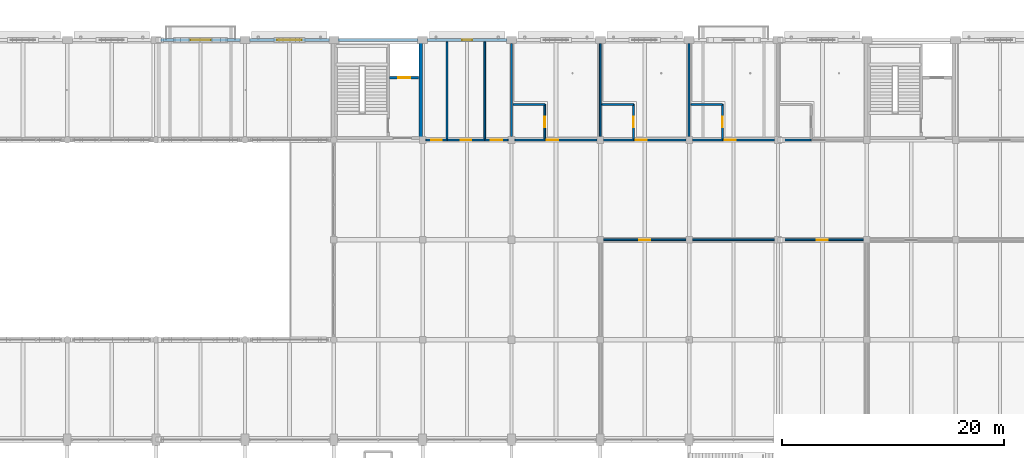
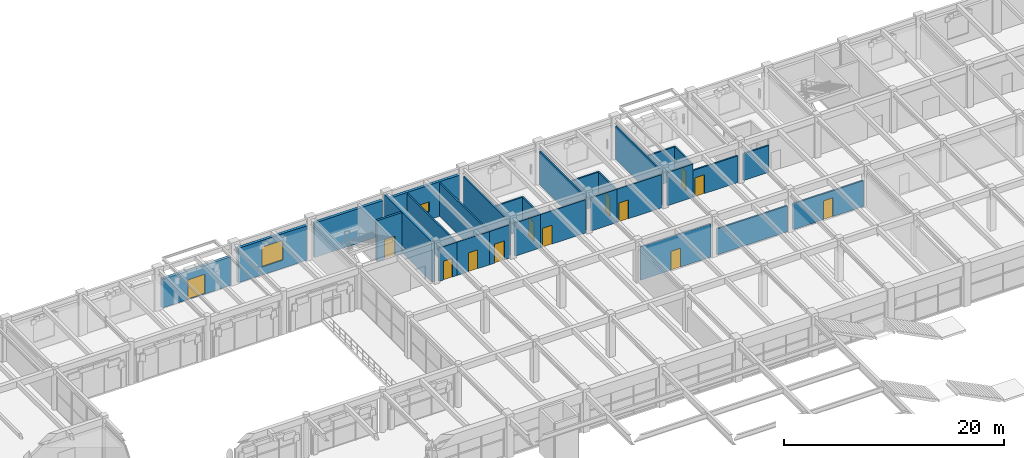
# One storey, part 110 of 144: 30 walls, 13 doors, 2 windows, 15 openings.
"""IFC4 building model written with IfcOpenShell, lengths in metres."""

from ifc_helpers import new_model, si_unit, direction, frame, frame_2d, origin, place, context, subcontext, project, spatial, rectangle, extrude, material, layer, layer_set, type_object, element, fill, save


model = new_model("IFC4")

# Units and contexts
model_context = context("Model", 3, precision=1e-05, world=origin(), true_north=direction((0.0, 1.0)))
body_context = subcontext(model_context, "Body", "Model", "MODEL_VIEW")
ifc_project = project(units=[si_unit("LENGTHUNIT", "METRE"), si_unit("AREAUNIT", "SQUARE_METRE"), si_unit("VOLUMEUNIT", "CUBIC_METRE"), si_unit("PLANEANGLEUNIT", "RADIAN"), si_unit("MASSUNIT", "GRAM", prefix="KILO")], contexts=[model_context])

# Site, building, storey
site_placement = place(None, origin())
site = spatial("IfcSite", under=ifc_project, at=site_placement, CompositionType="ELEMENT")
building_placement = place(site_placement, origin())
building = spatial("IfcBuilding", under=site, at=building_placement, Name="Varnabhumi Central Station", CompositionType="ELEMENT")
storey_placement = place(building_placement, frame((0.0, 0.0, 4.800048828125)))
storey = spatial("IfcBuildingStorey", under=building, at=storey_placement, Name="L01", CompositionType="ELEMENT", Elevation=4.800048828125)

# Wall
ifc_material_1 = material(Name="Concrete M40", Category="concrete")
ifc_layer_1 = layer(ifc_material_1, 0.300048828125, Name="Concrete M40", Category="concrete")
ifc_layer_set_1 = layer_set([ifc_layer_1], Name="Concrete M40")
wall_type_1 = type_object("IfcWallType", Name="WAL-CORE-RC-300", PredefinedType="SHEAR", material=ifc_layer_set_1)
wall_1_placement = place(storey_placement, frame((87.820068359375, 107.179931640625, 0.0), z_axis=(0.0, 0.0, 1.0), x_axis=(0.0, 1.0, 0.0)))
element("IfcWall", 1, at=wall_1_placement, inside=storey, type_object=wall_type_1, Name="NC2 L01 East Shear Wall", PredefinedType="SHEAR", context=body_context, shape_type="SweptSolid", body=[
    extrude(rectangle(XDim=8.64013671875, YDim=0.300048828125, at=frame_2d((4.320068359375, 0.0))), origin(), (0.0, 0.0, 1.0), 4.52001953125),
])

# Wall, opening, door
ifc_material_2 = material(Name="Autoclaved aerated blockwork masonry", Category="masonry")
ifc_layer_2 = layer(ifc_material_2, 0.300048828125, Name="Autoclaved aerated blockwork masonry", Category="masonry")
ifc_layer_set_2 = layer_set([ifc_layer_2], Name="Autoclaved aerated blockwork masonry")
wall_type_2 = type_object("IfcWallType", Name="WAL-EXT-STUCCO-300", PredefinedType="SOLIDWALL", material=ifc_layer_set_2)
wall_2_placement = place(storey_placement, frame((64.39990234375, 116.0, 0.0), z_axis=(0.0, 0.0, 1.0), x_axis=(1.0, 0.0, 0.0)))
wall_2 = element("IfcWall", 2, at=wall_2_placement, inside=storey, type_object=wall_type_2, Name="North Boulevard Wall L01-9", PredefinedType="SOLIDWALL", context=body_context, shape_type="SweptSolid", body=[
    extrude(rectangle(XDim=7.2001953125, YDim=0.300048828125, at=frame_2d((3.60009765625, 0.0))), origin(), (0.0, 0.0, 1.0), 3.179931640625),
])
opening_1_placement = place(wall_2_placement, frame((2.699951171875, 0.0, 0.0)))
opening_1 = element("IfcOpeningElement", 3, at=opening_1_placement, cuts=wall_2, Name="Opening ED-4", PredefinedType="OPENING", context=body_context, shape_type="SweptSolid", body=[
    extrude(rectangle(XDim=1.800048828125, YDim=2.199951171875, at=frame_2d((0.89990234375, 1.10009765625))), frame((0.0, 0.159912109375, 0.0), z_axis=(0.0, -1.0, 0.0), x_axis=(1.0, 0.0, 0.0)), (0.0, 0.0, 1.0), 0.320068359375),
])
ifc_material_3 = material(Name="Anodised aluminium 6063-T6", Category="aluminium")
door_type_1 = type_object("IfcDoorType", Name="DR-EXT-AZOTEA-1800", OperationType="NOTDEFINED", PredefinedType="DOOR", material=ifc_material_3)
door_1_placement = place(opening_1_placement, origin())
door_1 = element("IfcDoor", 4, at=door_1_placement, inside=storey, type_object=door_type_1, Name="North Boulevard Balcony French Door L01-9", OperationType="DOUBLE_DOOR_SINGLE_SWING", OverallHeight=2.199951171875, OverallWidth=1.800048828125, PredefinedType="DOOR", context=body_context, shape_type="SweptSolid", body=[
    extrude(rectangle(XDim=1.800048828125, YDim=2.199951171875, at=frame_2d((0.89990234375, 1.10009765625))), frame((0.0, 0.02490234375, 0.0), z_axis=(0.0, -1.0, 0.0), x_axis=(1.0, 0.0, 0.0)), (0.0, 0.0, 1.0), 0.050048828125),
])
fill(opening_1, door_1)

# Wall, opening, window
wall_3_placement = place(storey_placement, frame((72.39990234375, 116.0, 0.0), z_axis=(0.0, 0.0, 1.0), x_axis=(1.0, 0.0, 0.0)))
wall_3 = element("IfcWall", 5, at=wall_3_placement, inside=storey, type_object=wall_type_2, Name="North Boulevard Wall L01-10", PredefinedType="SOLIDWALL", context=body_context, shape_type="SweptSolid", body=[
    extrude(rectangle(XDim=7.2001953125, YDim=0.300048828125, at=frame_2d((3.60009765625, 0.0))), origin(), (0.0, 0.0, 1.0), 3.83984375),
])
opening_2_placement = place(wall_3_placement, frame((2.5, 0.0, 0.89990234375)))
opening_2 = element("IfcOpeningElement", 6, at=opening_2_placement, cuts=wall_3, Name="Opening W-03", PredefinedType="OPENING", context=body_context, shape_type="SweptSolid", body=[
    extrude(rectangle(XDim=2.199951171875, YDim=2.199951171875, at=frame_2d((1.10009765625, 1.10009765625))), frame((0.0, 0.159912109375, 0.0), z_axis=(0.0, -1.0, 0.0), x_axis=(1.0, 0.0, 0.0)), (0.0, 0.0, 1.0), 0.320068359375),
])
ifc_material_4 = material(Name="Laminated low-E double glazing", Category="glass")
window_type_1 = type_object("IfcWindowType", Name="WIN-PIER-2200x2200", PartitioningType="DOUBLE_PANEL_VERTICAL", PredefinedType="WINDOW", material=ifc_material_4)
window_1_placement = place(opening_2_placement, origin())
window_1 = element("IfcWindow", 7, at=window_1_placement, inside=storey, type_object=window_type_1, Name="North Facade Window L01-10", OverallHeight=2.199951171875, OverallWidth=2.199951171875, PartitioningType="SINGLE_PANEL", PredefinedType="WINDOW", context=body_context, shape_type="SweptSolid", body=[
    extrude(rectangle(XDim=2.199951171875, YDim=2.199951171875, at=frame_2d((1.10009765625, 1.10009765625))), frame((0.0, 0.030029296875, 0.0), z_axis=(0.0, -1.0, 0.0), x_axis=(1.0, 0.0, 0.0)), (0.0, 0.0, 1.0), 0.06005859375),
])
fill(opening_2, window_1)

# Wall
wall_4_placement = place(storey_placement, frame((80.39990234375, 116.0, 0.0), z_axis=(0.0, 0.0, 1.0), x_axis=(1.0, 0.0, 0.0)))
element("IfcWall", 8, at=wall_4_placement, inside=storey, type_object=wall_type_2, Name="North Boulevard Wall L01-11", PredefinedType="SOLIDWALL", context=body_context, shape_type="SweptSolid", body=[
    extrude(rectangle(XDim=7.2001953125, YDim=0.300048828125, at=frame_2d((3.60009765625, 0.0))), origin(), (0.0, 0.0, 1.0), 3.83984375),
])

# Wall, opening, window
wall_5_placement = place(storey_placement, frame((88.39990234375, 116.0, 0.0), z_axis=(0.0, 0.0, 1.0), x_axis=(1.0, 0.0, 0.0)))
wall_5 = element("IfcWall", 9, at=wall_5_placement, inside=storey, type_object=wall_type_2, Name="North Boulevard Wall L01-12", PredefinedType="SOLIDWALL", context=body_context, shape_type="SweptSolid", body=[
    extrude(rectangle(XDim=7.2001953125, YDim=0.300048828125, at=frame_2d((3.60009765625, 0.0))), origin(), (0.0, 0.0, 1.0), 3.83984375),
])
opening_3_placement = place(wall_5_placement, frame((3.14990234375, 0.0, 0.89990234375)))
opening_3 = element("IfcOpeningElement", 10, at=opening_3_placement, cuts=wall_5, Name="Opening W-09", PredefinedType="OPENING", context=body_context, shape_type="SweptSolid", body=[
    extrude(rectangle(XDim=0.89990234375, YDim=1.10009765625, at=frame_2d((0.449951171875, 0.550048828125))), frame((0.0, 0.159912109375, 0.0), z_axis=(0.0, -1.0, 0.0), x_axis=(1.0, 0.0, 0.0)), (0.0, 0.0, 1.0), 0.320068359375),
])
window_type_2 = type_object("IfcWindowType", Name="WIN-WC-900x1100", PartitioningType="SINGLE_PANEL", PredefinedType="WINDOW", material=ifc_material_4)
window_2_placement = place(opening_3_placement, origin())
window_2 = element("IfcWindow", 11, at=window_2_placement, inside=storey, type_object=window_type_2, Name="North Facade Window L01-12", OverallHeight=1.10009765625, OverallWidth=0.89990234375, PartitioningType="SINGLE_PANEL", PredefinedType="WINDOW", context=body_context, shape_type="SweptSolid", body=[
    extrude(rectangle(XDim=0.89990234375, YDim=1.10009765625, at=frame_2d((0.449951171875, 0.550048828125))), frame((0.0, 0.030029296875, 0.0), z_axis=(0.0, -1.0, 0.0), x_axis=(1.0, 0.0, 0.0)), (0.0, 0.0, 1.0), 0.06005859375),
])
fill(opening_3, window_2)

# Wall, opening, door
ifc_layer_3 = layer(ifc_material_2, 0.159912109375, Name="Autoclaved aerated blockwork masonry", Category="masonry")
ifc_layer_set_3 = layer_set([ifc_layer_3], Name="Autoclaved aerated blockwork masonry")
wall_type_3 = type_object("IfcWallType", Name="WAL-PART-AAC-160", PredefinedType="PARTITIONING", material=ifc_layer_set_3)
wall_6_placement = place(storey_placement, frame((88.300048828125, 107.0, 0.0), z_axis=(0.0, 0.0, 1.0), x_axis=(1.0, 0.0, 0.0)))
wall_6 = element("IfcWall", 12, at=wall_6_placement, inside=storey, type_object=wall_type_3, Name="Public Male WC L01 North Corridor Partition 1", PredefinedType="PARTITIONING", context=body_context, shape_type="SweptSolid", body=[
    extrude(rectangle(XDim=1.89990234375, YDim=0.159912109375, at=frame_2d((0.949951171875, 0.0))), origin(), (0.0, 0.0, 1.0), 3.699951171875),
])
opening_4_placement = place(wall_6_placement, frame((0.47509765625, 0.0, 0.0)))
opening_4 = element("IfcOpeningElement", 13, at=opening_4_placement, cuts=wall_6, Name="Opening D-04", PredefinedType="OPENING", context=body_context, shape_type="SweptSolid", body=[
    extrude(rectangle(XDim=0.949951171875, YDim=2.10009765625, at=frame_2d((0.47509765625, 1.050048828125))), frame((0.0, 0.08984375, 0.0), z_axis=(0.0, -1.0, 0.0), x_axis=(1.0, 0.0, 0.0)), (0.0, 0.0, 1.0), 0.179931640625),
])
ifc_material_5 = material(Name="Intumescent-treated hardwood timber", Category="wood")
door_type_2 = type_object("IfcDoorType", Name="DR-WC-950", OperationType="NOTDEFINED", PredefinedType="DOOR", material=ifc_material_5)
door_2_placement = place(opening_4_placement, frame((0.949951171875, 0.0, 0.0), z_axis=(0.0, 0.0, 1.0), x_axis=(-1.0, 0.0, 0.0)))
door_2 = element("IfcDoor", 14, at=door_2_placement, inside=storey, type_object=door_type_2, Name="Public Male WC L01 North Door 1", OperationType="SINGLE_SWING_LEFT", OverallHeight=2.10009765625, OverallWidth=0.949951171875, PredefinedType="DOOR", context=body_context, shape_type="SweptSolid", body=[
    extrude(rectangle(XDim=0.949951171875, YDim=2.10009765625, at=frame_2d((0.47509765625, 1.050048828125))), frame((0.0, 0.02490234375, 0.0), z_axis=(0.0, -1.0, 0.0), x_axis=(1.0, 0.0, 0.0)), (0.0, 0.0, 1.0), 0.050048828125),
])
fill(opening_4, door_2)

# Wall
wall_7_placement = place(storey_placement, frame((90.199951171875, 107.080078125, 0.0), z_axis=(0.0, 0.0, 1.0), x_axis=(0.0, 1.0, 0.0)))
element("IfcWall", 15, at=wall_7_placement, inside=storey, type_object=wall_type_3, Name="Public Male WC L01 North W Partition 1", PredefinedType="PARTITIONING", context=body_context, shape_type="SweptSolid", body=[
    extrude(rectangle(XDim=8.760009765625, YDim=0.159912109375, at=frame_2d((4.3798828125, 0.0))), origin(), (0.0, 0.0, 1.0), 3.699951171875),
])

# Wall, opening, door
wall_8_placement = place(storey_placement, frame((90.199951171875, 107.0, 0.0), z_axis=(0.0, 0.0, 1.0), x_axis=(1.0, 0.0, 0.0)))
wall_8 = element("IfcWall", 16, at=wall_8_placement, inside=storey, type_object=wall_type_3, Name="Public Female WC L01 North Corridor Partition 1", PredefinedType="PARTITIONING", context=body_context, shape_type="SweptSolid", body=[
    extrude(rectangle(XDim=3.400146484375, YDim=0.159912109375, at=frame_2d((1.7001953125, 0.0))), origin(), (0.0, 0.0, 1.0), 3.699951171875),
])
opening_5_placement = place(wall_8_placement, frame((1.22509765625, 0.0, 0.0)))
opening_5 = element("IfcOpeningElement", 17, at=opening_5_placement, cuts=wall_8, Name="Opening D-04", PredefinedType="OPENING", context=body_context, shape_type="SweptSolid", body=[
    extrude(rectangle(XDim=0.949951171875, YDim=2.10009765625, at=frame_2d((0.47509765625, 1.050048828125))), frame((0.0, 0.08984375, 0.0), z_axis=(0.0, -1.0, 0.0), x_axis=(1.0, 0.0, 0.0)), (0.0, 0.0, 1.0), 0.179931640625),
])
door_3_placement = place(opening_5_placement, frame((0.949951171875, 0.0, 0.0), z_axis=(0.0, 0.0, 1.0), x_axis=(-1.0, 0.0, 0.0)))
door_3 = element("IfcDoor", 18, at=door_3_placement, inside=storey, type_object=door_type_2, Name="Public Female WC L01 North Door 1", OperationType="SINGLE_SWING_RIGHT", OverallHeight=2.10009765625, OverallWidth=0.949951171875, PredefinedType="DOOR", context=body_context, shape_type="SweptSolid", body=[
    extrude(rectangle(XDim=0.949951171875, YDim=2.10009765625, at=frame_2d((0.47509765625, 1.050048828125))), frame((0.0, 0.02490234375, 0.0), z_axis=(0.0, -1.0, 0.0), x_axis=(1.0, 0.0, 0.0)), (0.0, 0.0, 1.0), 0.050048828125),
])
fill(opening_5, door_3)

# Wall
wall_9_placement = place(storey_placement, frame((93.60009765625, 107.080078125, 0.0), z_axis=(0.0, 0.0, 1.0), x_axis=(0.0, 1.0, 0.0)))
element("IfcWall", 19, at=wall_9_placement, inside=storey, type_object=wall_type_3, Name="Public Female WC L01 North W Partition 1", PredefinedType="PARTITIONING", context=body_context, shape_type="SweptSolid", body=[
    extrude(rectangle(XDim=8.760009765625, YDim=0.159912109375, at=frame_2d((4.3798828125, 0.0))), origin(), (0.0, 0.0, 1.0), 3.699951171875),
])

# Wall, opening, door
wall_10_placement = place(storey_placement, frame((93.60009765625, 107.0, 0.0), z_axis=(0.0, 0.0, 1.0), x_axis=(1.0, 0.0, 0.0)))
wall_10 = element("IfcWall", 20, at=wall_10_placement, inside=storey, type_object=wall_type_3, Name="Accessible WC L01 North Corridor Partition 1", PredefinedType="PARTITIONING", context=body_context, shape_type="SweptSolid", body=[
    extrude(rectangle(XDim=2.099853515625, YDim=0.159912109375, at=frame_2d((1.0498046875, 0.0))), origin(), (0.0, 0.0, 1.0), 3.699951171875),
])
opening_6_placement = place(wall_10_placement, frame((0.52490234375, 0.0, 0.0)))
opening_6 = element("IfcOpeningElement", 21, at=opening_6_placement, cuts=wall_10, Name="Opening D-05", PredefinedType="OPENING", context=body_context, shape_type="SweptSolid", body=[
    extrude(rectangle(XDim=1.050048828125, YDim=2.10009765625, at=frame_2d((0.52490234375, 1.050048828125))), frame((0.0, 0.08984375, 0.0), z_axis=(0.0, -1.0, 0.0), x_axis=(1.0, 0.0, 0.0)), (0.0, 0.0, 1.0), 0.179931640625),
])
door_type_3 = type_object("IfcDoorType", Name="DR-ACC-WC-1050", OperationType="NOTDEFINED", PredefinedType="DOOR", material=ifc_material_5)
door_4_placement = place(opening_6_placement, frame((1.050048828125, 0.0, 0.0), z_axis=(0.0, 0.0, 1.0), x_axis=(-1.0, 0.0, 0.0)))
door_4 = element("IfcDoor", 22, at=door_4_placement, inside=storey, type_object=door_type_3, Name="Accessible WC L01 North Door 1", OperationType="SINGLE_SWING_LEFT", OverallHeight=2.10009765625, OverallWidth=1.050048828125, PredefinedType="DOOR", context=body_context, shape_type="SweptSolid", body=[
    extrude(rectangle(XDim=1.050048828125, YDim=2.10009765625, at=frame_2d((0.52490234375, 1.050048828125))), frame((0.0, 0.02490234375, 0.0), z_axis=(0.0, -1.0, 0.0), x_axis=(1.0, 0.0, 0.0)), (0.0, 0.0, 1.0), 0.050048828125),
])
fill(opening_6, door_4)

# Wall
wall_11_placement = place(storey_placement, frame((96.0, 107.300048828125, 0.0), z_axis=(0.0, 0.0, 1.0), x_axis=(0.0, 1.0, 0.0)))
element("IfcWall", 23, at=wall_11_placement, inside=storey, type_object=wall_type_3, Name="Accessible WC L01 North W Partition 1", PredefinedType="PARTITIONING", context=body_context, shape_type="SweptSolid", body=[
    extrude(rectangle(XDim=8.39990234375, YDim=0.159912109375, at=frame_2d((4.199951171875, 0.0))), origin(), (0.0, 0.0, 1.0), 3.699951171875),
])

# Wall, opening, door
wall_12_placement = place(storey_placement, frame((99.0, 107.0, 0.0), z_axis=(0.0, 0.0, 1.0), x_axis=(1.0, 0.0, 0.0)))
wall_12 = element("IfcWall", 24, at=wall_12_placement, inside=storey, type_object=wall_type_3, Name="Passenger Retiring Room 101 Corridor Partition 1", PredefinedType="PARTITIONING", context=body_context, shape_type="SweptSolid", body=[
    extrude(rectangle(XDim=4.699951171875, YDim=0.159912109375, at=frame_2d((2.35009765625, 0.0))), origin(), (0.0, 0.0, 1.0), 3.699951171875),
])
opening_7_placement = place(wall_12_placement, frame((0.199951171875, 0.0, 0.0)))
opening_7 = element("IfcOpeningElement", 25, at=opening_7_placement, cuts=wall_12, Name="Opening D-01", PredefinedType="OPENING", context=body_context, shape_type="SweptSolid", body=[
    extrude(rectangle(XDim=1.0, YDim=2.10009765625, at=frame_2d((0.5, 1.050048828125))), frame((0.0, 0.08984375, 0.0), z_axis=(0.0, -1.0, 0.0), x_axis=(1.0, 0.0, 0.0)), (0.0, 0.0, 1.0), 0.179931640625),
])
door_type_4 = type_object("IfcDoorType", Name="DR-ROOM-1000", OperationType="NOTDEFINED", PredefinedType="DOOR", material=ifc_material_5)
door_5_placement = place(opening_7_placement, frame((1.0, 0.0, 0.0), z_axis=(0.0, 0.0, 1.0), x_axis=(-1.0, 0.0, 0.0)))
door_5 = element("IfcDoor", 26, at=door_5_placement, inside=storey, type_object=door_type_4, Name="Passenger Retiring Room 101 Door 1", OperationType="SINGLE_SWING_RIGHT", OverallHeight=2.10009765625, OverallWidth=1.0, PredefinedType="DOOR", context=body_context, shape_type="SweptSolid", body=[
    extrude(rectangle(XDim=1.0, YDim=2.10009765625, at=frame_2d((0.5, 1.050048828125))), frame((0.0, 0.02490234375, 0.0), z_axis=(0.0, -1.0, 0.0), x_axis=(1.0, 0.0, 0.0)), (0.0, 0.0, 1.0), 0.050048828125),
])
fill(opening_7, door_5)

# Walls
wall_13_placement = place(storey_placement, frame((104.0, 107.300048828125, 0.0), z_axis=(0.0, 0.0, 1.0), x_axis=(0.0, 1.0, 0.0)))
element("IfcWall", 27, at=wall_13_placement, inside=storey, type_object=wall_type_3, Name="Passenger Retiring Room 101 W Partition 1", PredefinedType="PARTITIONING", context=body_context, shape_type="SweptSolid", body=[
    extrude(rectangle(XDim=8.39990234375, YDim=0.159912109375, at=frame_2d((4.199951171875, 0.0))), origin(), (0.0, 0.0, 1.0), 3.699951171875),
])
wall_14_placement = place(storey_placement, frame((96.300048828125, 107.0, 0.0), z_axis=(0.0, 0.0, 1.0), x_axis=(1.0, 0.0, 0.0)))
element("IfcWall", 28, at=wall_14_placement, inside=storey, type_object=wall_type_3, Name="En-suite Bathroom 101 South Wall", PredefinedType="PARTITIONING", context=body_context, shape_type="SweptSolid", body=[
    extrude(rectangle(XDim=2.699951171875, YDim=0.159912109375, at=frame_2d((1.35009765625, 0.0))), origin(), (0.0, 0.0, 1.0), 3.699951171875),
])
wall_15_placement = place(storey_placement, frame((96.14990234375, 110.199951171875, 0.0), z_axis=(0.0, 0.0, 1.0), x_axis=(1.0, 0.0, 0.0)))
element("IfcWall", 29, at=wall_15_placement, inside=storey, type_object=wall_type_3, Name="En-suite Bathroom 101 North Wall", PredefinedType="PARTITIONING", context=body_context, shape_type="SweptSolid", body=[
    extrude(rectangle(XDim=2.85009765625, YDim=0.159912109375, at=frame_2d((1.425048828125, 0.0))), origin(), (0.0, 0.0, 1.0), 3.699951171875),
])

# Wall, opening, door
wall_16_placement = place(storey_placement, frame((99.0, 107.080078125, 0.0), z_axis=(0.0, 0.0, 1.0), x_axis=(0.0, 1.0, 0.0)))
wall_16 = element("IfcWall", 30, at=wall_16_placement, inside=storey, type_object=wall_type_3, Name="En-suite Bathroom 101 East Door Wall", PredefinedType="PARTITIONING", context=body_context, shape_type="SweptSolid", body=[
    extrude(rectangle(XDim=3.119873046875, YDim=0.159912109375, at=frame_2d((1.56005859375, 0.0))), origin(), (0.0, 0.0, 1.0), 3.699951171875),
])
opening_8_placement = place(wall_16_placement, frame((1.050048828125, 0.0, 0.0)))
opening_8 = element("IfcOpeningElement", 31, at=opening_8_placement, cuts=wall_16, Name="Opening D-04", PredefinedType="OPENING", context=body_context, shape_type="SweptSolid", body=[
    extrude(rectangle(XDim=0.949951171875, YDim=2.10009765625, at=frame_2d((0.47509765625, 1.050048828125))), frame((0.0, 0.08984375, 0.0), z_axis=(0.0, -1.0, 0.0), x_axis=(1.0, 0.0, 0.0)), (0.0, 0.0, 1.0), 0.179931640625),
])
door_6_placement = place(opening_8_placement, origin())
door_6 = element("IfcDoor", 32, at=door_6_placement, inside=storey, type_object=door_type_2, Name="En-suite Bathroom 101 En-suite Door", OperationType="SINGLE_SWING_RIGHT", OverallHeight=2.10009765625, OverallWidth=0.949951171875, PredefinedType="DOOR", context=body_context, shape_type="SweptSolid", body=[
    extrude(rectangle(XDim=0.949951171875, YDim=2.10009765625, at=frame_2d((0.47509765625, 1.050048828125))), frame((0.0, 0.02490234375, 0.0), z_axis=(0.0, -1.0, 0.0), x_axis=(1.0, 0.0, 0.0)), (0.0, 0.0, 1.0), 0.050048828125),
])
fill(opening_8, door_6)

wall_17_placement = place(storey_placement, frame((107.0, 107.0, 0.0), z_axis=(0.0, 0.0, 1.0), x_axis=(1.0, 0.0, 0.0)))
wall_17 = element("IfcWall", 33, at=wall_17_placement, inside=storey, type_object=wall_type_3, Name="Passenger Retiring Room 102 Corridor Partition 1", PredefinedType="PARTITIONING", context=body_context, shape_type="SweptSolid", body=[
    extrude(rectangle(XDim=4.699951171875, YDim=0.159912109375, at=frame_2d((2.35009765625, 0.0))), origin(), (0.0, 0.0, 1.0), 3.699951171875),
])
opening_9_placement = place(wall_17_placement, frame((0.199951171875, 0.0, 0.0)))
opening_9 = element("IfcOpeningElement", 34, at=opening_9_placement, cuts=wall_17, Name="Opening D-01", PredefinedType="OPENING", context=body_context, shape_type="SweptSolid", body=[
    extrude(rectangle(XDim=1.0, YDim=2.10009765625, at=frame_2d((0.5, 1.050048828125))), frame((0.0, 0.08984375, 0.0), z_axis=(0.0, -1.0, 0.0), x_axis=(1.0, 0.0, 0.0)), (0.0, 0.0, 1.0), 0.179931640625),
])
door_7_placement = place(opening_9_placement, frame((1.0, 0.0, 0.0), z_axis=(0.0, 0.0, 1.0), x_axis=(-1.0, 0.0, 0.0)))
door_7 = element("IfcDoor", 35, at=door_7_placement, inside=storey, type_object=door_type_4, Name="Passenger Retiring Room 102 Door 1", OperationType="SINGLE_SWING_LEFT", OverallHeight=2.10009765625, OverallWidth=1.0, PredefinedType="DOOR", context=body_context, shape_type="SweptSolid", body=[
    extrude(rectangle(XDim=1.0, YDim=2.10009765625, at=frame_2d((0.5, 1.050048828125))), frame((0.0, 0.02490234375, 0.0), z_axis=(0.0, -1.0, 0.0), x_axis=(1.0, 0.0, 0.0)), (0.0, 0.0, 1.0), 0.050048828125),
])
fill(opening_9, door_7)

# Walls
wall_18_placement = place(storey_placement, frame((112.0, 107.300048828125, 0.0), z_axis=(0.0, 0.0, 1.0), x_axis=(0.0, 1.0, 0.0)))
element("IfcWall", 36, at=wall_18_placement, inside=storey, type_object=wall_type_3, Name="Passenger Retiring Room 102 W Partition 1", PredefinedType="PARTITIONING", context=body_context, shape_type="SweptSolid", body=[
    extrude(rectangle(XDim=8.39990234375, YDim=0.159912109375, at=frame_2d((4.199951171875, 0.0))), origin(), (0.0, 0.0, 1.0), 3.699951171875),
])
wall_19_placement = place(storey_placement, frame((104.300048828125, 107.0, 0.0), z_axis=(0.0, 0.0, 1.0), x_axis=(1.0, 0.0, 0.0)))
element("IfcWall", 37, at=wall_19_placement, inside=storey, type_object=wall_type_3, Name="En-suite Bathroom 102 South Wall", PredefinedType="PARTITIONING", context=body_context, shape_type="SweptSolid", body=[
    extrude(rectangle(XDim=2.699951171875, YDim=0.159912109375, at=frame_2d((1.35009765625, 0.0))), origin(), (0.0, 0.0, 1.0), 3.699951171875),
])
wall_20_placement = place(storey_placement, frame((104.14990234375, 110.199951171875, 0.0), z_axis=(0.0, 0.0, 1.0), x_axis=(1.0, 0.0, 0.0)))
element("IfcWall", 38, at=wall_20_placement, inside=storey, type_object=wall_type_3, Name="En-suite Bathroom 102 North Wall", PredefinedType="PARTITIONING", context=body_context, shape_type="SweptSolid", body=[
    extrude(rectangle(XDim=2.85009765625, YDim=0.159912109375, at=frame_2d((1.425048828125, 0.0))), origin(), (0.0, 0.0, 1.0), 3.699951171875),
])

# Wall, opening, door
wall_21_placement = place(storey_placement, frame((107.0, 107.080078125, 0.0), z_axis=(0.0, 0.0, 1.0), x_axis=(0.0, 1.0, 0.0)))
wall_21 = element("IfcWall", 39, at=wall_21_placement, inside=storey, type_object=wall_type_3, Name="En-suite Bathroom 102 East Door Wall", PredefinedType="PARTITIONING", context=body_context, shape_type="SweptSolid", body=[
    extrude(rectangle(XDim=3.119873046875, YDim=0.159912109375, at=frame_2d((1.56005859375, 0.0))), origin(), (0.0, 0.0, 1.0), 3.699951171875),
])
opening_10_placement = place(wall_21_placement, frame((1.050048828125, 0.0, 0.0)))
opening_10 = element("IfcOpeningElement", 40, at=opening_10_placement, cuts=wall_21, Name="Opening D-04", PredefinedType="OPENING", context=body_context, shape_type="SweptSolid", body=[
    extrude(rectangle(XDim=0.949951171875, YDim=2.10009765625, at=frame_2d((0.47509765625, 1.050048828125))), frame((0.0, 0.08984375, 0.0), z_axis=(0.0, -1.0, 0.0), x_axis=(1.0, 0.0, 0.0)), (0.0, 0.0, 1.0), 0.179931640625),
])
door_8_placement = place(opening_10_placement, origin())
door_8 = element("IfcDoor", 41, at=door_8_placement, inside=storey, type_object=door_type_2, Name="En-suite Bathroom 102 En-suite Door", OperationType="SINGLE_SWING_RIGHT", OverallHeight=2.10009765625, OverallWidth=0.949951171875, PredefinedType="DOOR", context=body_context, shape_type="SweptSolid", body=[
    extrude(rectangle(XDim=0.949951171875, YDim=2.10009765625, at=frame_2d((0.47509765625, 1.050048828125))), frame((0.0, 0.02490234375, 0.0), z_axis=(0.0, -1.0, 0.0), x_axis=(1.0, 0.0, 0.0)), (0.0, 0.0, 1.0), 0.050048828125),
])
fill(opening_10, door_8)

wall_22_placement = place(storey_placement, frame((115.0, 107.0, 0.0), z_axis=(0.0, 0.0, 1.0), x_axis=(1.0, 0.0, 0.0)))
wall_22 = element("IfcWall", 42, at=wall_22_placement, inside=storey, type_object=wall_type_3, Name="Passenger Retiring Room 103 Corridor Partition 1", PredefinedType="PARTITIONING", context=body_context, shape_type="SweptSolid", body=[
    extrude(rectangle(XDim=4.699951171875, YDim=0.159912109375, at=frame_2d((2.35009765625, 0.0))), origin(), (0.0, 0.0, 1.0), 2.97998046875),
])
opening_11_placement = place(wall_22_placement, frame((0.199951171875, 0.0, 0.0)))
opening_11 = element("IfcOpeningElement", 43, at=opening_11_placement, cuts=wall_22, Name="Opening D-01", PredefinedType="OPENING", context=body_context, shape_type="SweptSolid", body=[
    extrude(rectangle(XDim=1.0, YDim=2.10009765625, at=frame_2d((0.5, 1.050048828125))), frame((0.0, 0.08984375, 0.0), z_axis=(0.0, -1.0, 0.0), x_axis=(1.0, 0.0, 0.0)), (0.0, 0.0, 1.0), 0.179931640625),
])
door_9_placement = place(opening_11_placement, frame((1.0, 0.0, 0.0), z_axis=(0.0, 0.0, 1.0), x_axis=(-1.0, 0.0, 0.0)))
door_9 = element("IfcDoor", 44, at=door_9_placement, inside=storey, type_object=door_type_4, Name="Passenger Retiring Room 103 Door 1", OperationType="SINGLE_SWING_RIGHT", OverallHeight=2.10009765625, OverallWidth=1.0, PredefinedType="DOOR", context=body_context, shape_type="SweptSolid", body=[
    extrude(rectangle(XDim=1.0, YDim=2.10009765625, at=frame_2d((0.5, 1.050048828125))), frame((0.0, 0.02490234375, 0.0), z_axis=(0.0, -1.0, 0.0), x_axis=(1.0, 0.0, 0.0)), (0.0, 0.0, 1.0), 0.050048828125),
])
fill(opening_11, door_9)

# Walls
wall_23_placement = place(storey_placement, frame((112.300048828125, 107.0, 0.0), z_axis=(0.0, 0.0, 1.0), x_axis=(1.0, 0.0, 0.0)))
element("IfcWall", 45, at=wall_23_placement, inside=storey, type_object=wall_type_3, Name="En-suite Bathroom 103 South Wall", PredefinedType="PARTITIONING", context=body_context, shape_type="SweptSolid", body=[
    extrude(rectangle(XDim=2.699951171875, YDim=0.159912109375, at=frame_2d((1.35009765625, 0.0))), origin(), (0.0, 0.0, 1.0), 3.699951171875),
])
wall_24_placement = place(storey_placement, frame((112.14990234375, 110.199951171875, 0.0), z_axis=(0.0, 0.0, 1.0), x_axis=(1.0, 0.0, 0.0)))
element("IfcWall", 46, at=wall_24_placement, inside=storey, type_object=wall_type_3, Name="En-suite Bathroom 103 North Wall", PredefinedType="PARTITIONING", context=body_context, shape_type="SweptSolid", body=[
    extrude(rectangle(XDim=2.85009765625, YDim=0.159912109375, at=frame_2d((1.425048828125, 0.0))), origin(), (0.0, 0.0, 1.0), 3.699951171875),
])

# Wall, opening, door
wall_25_placement = place(storey_placement, frame((115.0, 107.080078125, 0.0), z_axis=(0.0, 0.0, 1.0), x_axis=(0.0, 1.0, 0.0)))
wall_25 = element("IfcWall", 47, at=wall_25_placement, inside=storey, type_object=wall_type_3, Name="En-suite Bathroom 103 East Door Wall", PredefinedType="PARTITIONING", context=body_context, shape_type="SweptSolid", body=[
    extrude(rectangle(XDim=3.119873046875, YDim=0.159912109375, at=frame_2d((1.56005859375, 0.0))), origin(), (0.0, 0.0, 1.0), 3.699951171875),
])
opening_12_placement = place(wall_25_placement, frame((1.050048828125, 0.0, 0.0)))
opening_12 = element("IfcOpeningElement", 48, at=opening_12_placement, cuts=wall_25, Name="Opening D-04", PredefinedType="OPENING", context=body_context, shape_type="SweptSolid", body=[
    extrude(rectangle(XDim=0.949951171875, YDim=2.10009765625, at=frame_2d((0.47509765625, 1.050048828125))), frame((0.0, 0.08984375, 0.0), z_axis=(0.0, -1.0, 0.0), x_axis=(1.0, 0.0, 0.0)), (0.0, 0.0, 1.0), 0.179931640625),
])
door_10_placement = place(opening_12_placement, origin())
door_10 = element("IfcDoor", 49, at=door_10_placement, inside=storey, type_object=door_type_2, Name="En-suite Bathroom 103 En-suite Door", OperationType="SINGLE_SWING_RIGHT", OverallHeight=2.10009765625, OverallWidth=0.949951171875, PredefinedType="DOOR", context=body_context, shape_type="SweptSolid", body=[
    extrude(rectangle(XDim=0.949951171875, YDim=2.10009765625, at=frame_2d((0.47509765625, 1.050048828125))), frame((0.0, 0.02490234375, 0.0), z_axis=(0.0, -1.0, 0.0), x_axis=(1.0, 0.0, 0.0)), (0.0, 0.0, 1.0), 0.050048828125),
])
fill(opening_12, door_10)

# Wall
wall_26_placement = place(storey_placement, frame((120.300048828125, 107.0, 0.0), z_axis=(0.0, 0.0, 1.0), x_axis=(1.0, 0.0, 0.0)))
element("IfcWall", 50, at=wall_26_placement, inside=storey, type_object=wall_type_3, Name="En-suite Bathroom 104 South Wall", PredefinedType="PARTITIONING", context=body_context, shape_type="SweptSolid", body=[
    extrude(rectangle(XDim=2.699951171875, YDim=0.159912109375, at=frame_2d((1.35009765625, 0.0))), origin(), (0.0, 0.0, 1.0), 2.97998046875),
])

# Wall, opening, door
wall_27_placement = place(storey_placement, frame((104.300048828125, 98.0, 0.0), z_axis=(0.0, 0.0, 1.0), x_axis=(1.0, 0.0, 0.0)))
wall_27 = element("IfcWall", 51, at=wall_27_placement, inside=storey, type_object=wall_type_3, Name="Ladies' Transit Dormitory Corridor Partition 1", PredefinedType="PARTITIONING", context=body_context, shape_type="SweptSolid", body=[
    extrude(rectangle(XDim=7.39990234375, YDim=0.159912109375, at=frame_2d((3.699951171875, 0.0))), origin(), (0.0, 0.0, 1.0), 3.699951171875),
])
opening_13_placement = place(wall_27_placement, frame((3.199951171875, 0.0, 0.0)))
opening_13 = element("IfcOpeningElement", 52, at=opening_13_placement, cuts=wall_27, Name="Opening D-01", PredefinedType="OPENING", context=body_context, shape_type="SweptSolid", body=[
    extrude(rectangle(XDim=1.0, YDim=2.10009765625, at=frame_2d((0.5, 1.050048828125))), frame((0.0, 0.08984375, 0.0), z_axis=(0.0, -1.0, 0.0), x_axis=(1.0, 0.0, 0.0)), (0.0, 0.0, 1.0), 0.179931640625),
])
door_11_placement = place(opening_13_placement, origin())
door_11 = element("IfcDoor", 53, at=door_11_placement, inside=storey, type_object=door_type_4, Name="Ladies' Transit Dormitory Door 1", OperationType="SINGLE_SWING_RIGHT", OverallHeight=2.10009765625, OverallWidth=1.0, PredefinedType="DOOR", context=body_context, shape_type="SweptSolid", body=[
    extrude(rectangle(XDim=1.0, YDim=2.10009765625, at=frame_2d((0.5, 1.050048828125))), frame((0.0, 0.02490234375, 0.0), z_axis=(0.0, -1.0, 0.0), x_axis=(1.0, 0.0, 0.0)), (0.0, 0.0, 1.0), 0.050048828125),
])
fill(opening_13, door_11)

# Wall
wall_28_placement = place(storey_placement, frame((112.300048828125, 98.0, 0.0), z_axis=(0.0, 0.0, 1.0), x_axis=(1.0, 0.0, 0.0)))
element("IfcWall", 54, at=wall_28_placement, inside=storey, type_object=wall_type_3, Name="Ladies' Transit Dormitory Corridor Partition 2", PredefinedType="PARTITIONING", context=body_context, shape_type="SweptSolid", body=[
    extrude(rectangle(XDim=7.39990234375, YDim=0.159912109375, at=frame_2d((3.699951171875, 0.0))), origin(), (0.0, 0.0, 1.0), 2.8798828125),
])

# Wall, opening, door
wall_29_placement = place(storey_placement, frame((120.300048828125, 98.0, 0.0), z_axis=(0.0, 0.0, 1.0), x_axis=(1.0, 0.0, 0.0)))
wall_29 = element("IfcWall", 55, at=wall_29_placement, inside=storey, type_object=wall_type_3, Name="Ladies' Transit Dormitory Corridor Partition 3", PredefinedType="PARTITIONING", context=body_context, shape_type="SweptSolid", body=[
    extrude(rectangle(XDim=7.39990234375, YDim=0.159912109375, at=frame_2d((3.699951171875, 0.0))), origin(), (0.0, 0.0, 1.0), 2.8798828125),
])
opening_14_placement = place(wall_29_placement, frame((3.199951171875, 0.0, 0.0)))
opening_14 = element("IfcOpeningElement", 56, at=opening_14_placement, cuts=wall_29, Name="Opening D-01", PredefinedType="OPENING", context=body_context, shape_type="SweptSolid", body=[
    extrude(rectangle(XDim=1.0, YDim=2.10009765625, at=frame_2d((0.5, 1.050048828125))), frame((0.0, 0.08984375, 0.0), z_axis=(0.0, -1.0, 0.0), x_axis=(1.0, 0.0, 0.0)), (0.0, 0.0, 1.0), 0.179931640625),
])
door_12_placement = place(opening_14_placement, origin())
door_12 = element("IfcDoor", 57, at=door_12_placement, inside=storey, type_object=door_type_4, Name="Ladies' Transit Dormitory Door 3", OperationType="SINGLE_SWING_LEFT", OverallHeight=2.10009765625, OverallWidth=1.0, PredefinedType="DOOR", context=body_context, shape_type="SweptSolid", body=[
    extrude(rectangle(XDim=1.0, YDim=2.10009765625, at=frame_2d((0.5, 1.050048828125))), frame((0.0, 0.02490234375, 0.0), z_axis=(0.0, -1.0, 0.0), x_axis=(1.0, 0.0, 0.0)), (0.0, 0.0, 1.0), 0.050048828125),
])
fill(opening_14, door_12)

ifc_layer_4 = layer(ifc_material_1, 0.239990234375, Name="Concrete M40", Category="concrete")
ifc_layer_set_4 = layer_set([ifc_layer_4], Name="Concrete M40")
wall_type_4 = type_object("IfcWallType", Name="WAL-SHAFT-RC-240", PredefinedType="SHEAR", material=ifc_layer_set_4)
wall_30_placement = place(storey_placement, frame((85.02001953125, 112.60009765625, 0.0), z_axis=(0.0, 0.0, 1.0), x_axis=(1.0, 0.0, 0.0)))
wall_30 = element("IfcWall", 58, at=wall_30_placement, inside=storey, type_object=wall_type_4, Name="PL-7 L01 Lift Shaft Front Wall", PredefinedType="SHEAR", context=body_context, shape_type="SweptSolid", body=[
    extrude(rectangle(XDim=2.6298828125, YDim=0.239990234375, at=frame_2d((1.31494140625, 0.0))), origin(), (0.0, 0.0, 1.0), 4.52001953125),
])
opening_15_placement = place(wall_30_placement, frame((0.764892578125, 0.0, 0.0)))
opening_15 = element("IfcOpeningElement", 59, at=opening_15_placement, cuts=wall_30, Name="Opening LD-PL-7", PredefinedType="OPENING", context=body_context, shape_type="SweptSolid", body=[
    extrude(rectangle(XDim=1.10009765625, YDim=2.14990234375, at=frame_2d((0.550048828125, 1.074951171875))), frame((0.0, 0.1298828125, 0.0), z_axis=(0.0, -1.0, 0.0), x_axis=(1.0, 0.0, 0.0)), (0.0, 0.0, 1.0), 0.260009765625),
])
ifc_material_6 = material(Name="Stainless steel Grade 316", Category="steel")
door_type_5 = type_object("IfcDoorType", Name="DR-LIFT-PASS-1100", OperationType="NOTDEFINED", PredefinedType="DOOR", material=ifc_material_6)
door_13_placement = place(opening_15_placement, origin())
door_13 = element("IfcDoor", 60, at=door_13_placement, inside=storey, type_object=door_type_5, Name="Lift Landing Door PL-7 L01", OperationType="DOUBLE_DOOR_SLIDING", OverallHeight=2.14990234375, OverallWidth=1.10009765625, PredefinedType="DOOR", context=body_context, shape_type="SweptSolid", body=[
    extrude(rectangle(XDim=1.10009765625, YDim=2.14990234375, at=frame_2d((0.550048828125, 1.074951171875))), frame((0.0, 0.02490234375, 0.0), z_axis=(0.0, -1.0, 0.0), x_axis=(1.0, 0.0, 0.0)), (0.0, 0.0, 1.0), 0.050048828125),
])
fill(opening_15, door_13)

save(model, "model.ifc")
